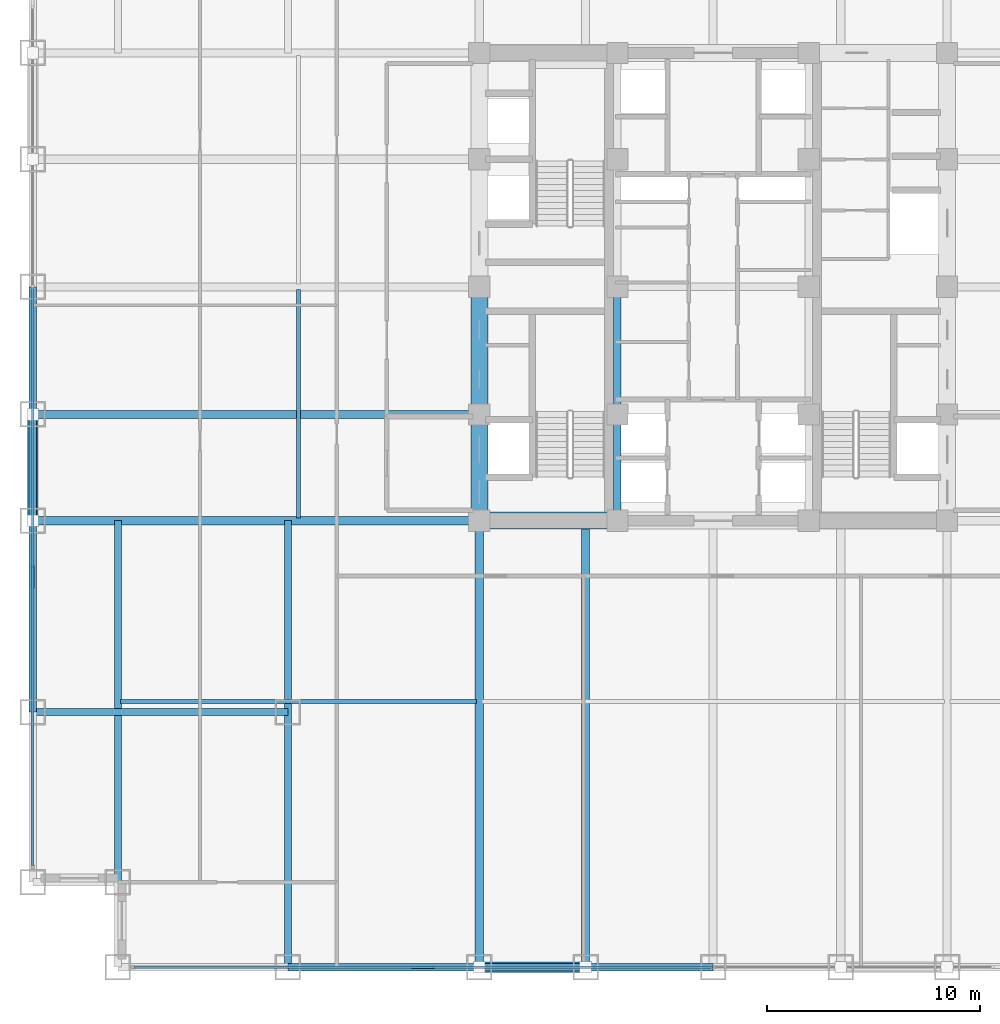
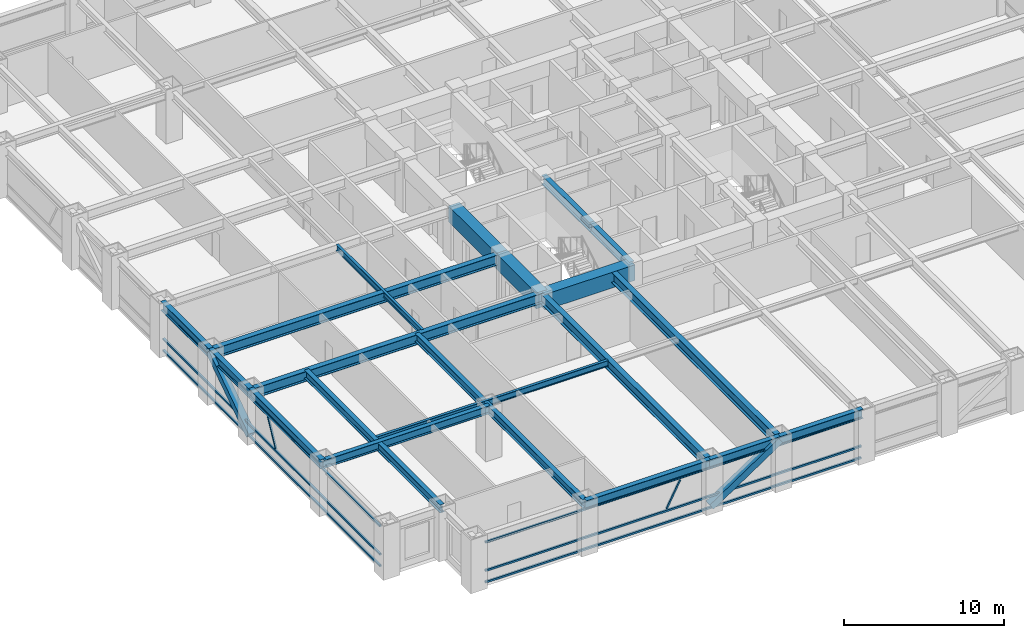
# One storey, part 3 of 27: 20 beams, 10 members, 2 elements without a shape of their own.
"""IFC4 building model written with IfcOpenShell, lengths in metres."""

from ifc_helpers import new_model, si_unit, direction, frame, origin, origin_2d, place, context, subcontext, project, spatial, rectangle, hollow_rectangle, i_section, extrude, source, transform, mapped, material, material_profile, profile_set, type_object, element, aggregate, save


model = new_model("IFC4")

# Units and contexts
model_context = context("Model", 3, precision=1e-05, world=origin(), true_north=direction((0.0, 1.0)))
body_context = subcontext(model_context, "Body", "Model", "MODEL_VIEW")
ifc_project = project(units=[si_unit("LENGTHUNIT", "METRE"), si_unit("AREAUNIT", "SQUARE_METRE"), si_unit("VOLUMEUNIT", "CUBIC_METRE"), si_unit("PLANEANGLEUNIT", "RADIAN"), si_unit("MASSUNIT", "GRAM", prefix="KILO")], contexts=[model_context])

# Site, building, storey
site_placement = place(None, origin())
site = spatial("IfcSite", under=ifc_project, at=site_placement, CompositionType="ELEMENT")
building_placement = place(site_placement, origin())
building = spatial("IfcBuilding", under=site, at=building_placement, Name="Khorayat Bourse Tower", CompositionType="ELEMENT")
storey_placement = place(building_placement, frame((0.0, 0.0, 107.800048828125)))
storey = spatial("IfcBuildingStorey", under=building, at=storey_placement, Name="L24", CompositionType="ELEMENT", Elevation=107.800048828125)

# Beams
ifc_material_1 = material(Name="Concrete C72/90", Category="concrete")
ifc_material_profile_1 = material_profile(ifc_material_1, rectangle(XDim=0.800048828125, YDim=1.199951171875, at=origin_2d()), Name="RC 800x1200")
ifc_profile_set_1 = profile_set([ifc_material_profile_1], Name="Concrete C72/90")
beam_type_1 = type_object("IfcBeamType", Name="BM-COUP-1200", PredefinedType="BEAM", material=ifc_profile_set_1)
shared_shape_1 = source(origin(), body_context, "Body", "SweptSolid", [
    extrude(rectangle(XDim=0.800048828125, YDim=1.199951171875, at=origin_2d()), origin(), (0.0, 0.0, 1.0), 5.0),
])
beam_1_placement = place(storey_placement, frame((-11.0, -11.0, 3.239990234375), z_axis=(0.0, 1.0, 0.0), x_axis=(-1.0, 0.0, 0.0)))
element("IfcBeam", 1, at=beam_1_placement, inside=storey, type_object=beam_type_1, Name="L24 BM-COUP-1200 BM-L24-CRX-01", PredefinedType="BEAM", context=body_context, shape_type="MappedRepresentation", body=[
    mapped(shared_shape_1, transform((0.0, 0.0, 0.0), scale=1.0)),
])
shared_shape_2 = source(origin(), body_context, "Body", "SweptSolid", [
    extrude(rectangle(XDim=0.800048828125, YDim=1.199951171875, at=origin_2d()), origin(), (0.0, 0.0, 1.0), 6.0),
])
beam_2_placement = place(storey_placement, frame((-11.0, -6.0, 3.239990234375), z_axis=(0.0, 1.0, 0.0), x_axis=(-1.0, 0.0, 0.0)))
element("IfcBeam", 2, at=beam_2_placement, inside=storey, type_object=beam_type_1, Name="L24 BM-COUP-1200 BM-L24-CRX-02", PredefinedType="BEAM", context=body_context, shape_type="MappedRepresentation", body=[
    mapped(shared_shape_2, transform((0.0, 0.0, 0.0), scale=1.0)),
])
ifc_material_2 = material(Name="Steel ASTM A992 Grade 50", Category="steel")
ifc_material_profile_2 = material_profile(ifc_material_2, i_section(OverallWidth=0.35498046875, OverallDepth=0.695068359375, WebThickness=0.015380859375, FlangeThickness=0.02490234375, FilletRadius=0.01806640625, at=origin_2d()), Name="W690X217")
ifc_profile_set_2 = profile_set([ifc_material_profile_2], Name="Steel ASTM A992 Grade 50")
beam_type_2 = type_object("IfcBeamType", Name="BM-GIRD-690", PredefinedType="BEAM", material=ifc_profile_set_2)
shared_shape_3 = source(origin(), body_context, "Body", "SweptSolid", [
    extrude(i_section(OverallWidth=0.35498046875, OverallDepth=0.695068359375, WebThickness=0.015380859375, FlangeThickness=0.02490234375, FilletRadius=0.01806640625, at=origin_2d()), origin(), (0.0, 0.0, 1.0), 5.0),
])
beam_3_placement = place(storey_placement, frame((-4.5, -11.0, 3.492431640625), z_axis=(0.0, 1.0, 0.0), x_axis=(-1.0, 0.0, 0.0)))
element("IfcBeam", 3, at=beam_3_placement, inside=storey, type_object=beam_type_2, Name="L24 BM-GIRD-690 BM-L24-CRX-05", PredefinedType="BEAM", context=body_context, shape_type="MappedRepresentation", body=[
    mapped(shared_shape_3, transform((0.0, 0.0, 0.0), scale=1.0)),
])
shared_shape_4 = source(origin(), body_context, "Body", "SweptSolid", [
    extrude(i_section(OverallWidth=0.35498046875, OverallDepth=0.695068359375, WebThickness=0.015380859375, FlangeThickness=0.02490234375, FilletRadius=0.01806640625, at=origin_2d()), origin(), (0.0, 0.0, 1.0), 6.0),
])
beam_4_placement = place(storey_placement, frame((-4.5, -6.0, 3.492431640625), z_axis=(0.0, 1.0, 0.0), x_axis=(-1.0, 0.0, 0.0)))
element("IfcBeam", 4, at=beam_4_placement, inside=storey, type_object=beam_type_2, Name="L24 BM-GIRD-690 BM-L24-CRX-06", PredefinedType="BEAM", context=body_context, shape_type="MappedRepresentation", body=[
    mapped(shared_shape_4, transform((0.0, 0.0, 0.0), scale=1.0)),
])
shared_shape_5 = source(origin(), body_context, "Body", "SweptSolid", [
    extrude(rectangle(XDim=0.800048828125, YDim=1.199951171875, at=origin_2d()), origin(), (0.0, 0.0, 1.0), 6.5),
])
beam_5_placement = place(storey_placement, frame((-11.0, -11.0, 3.239990234375), z_axis=(1.0, 0.0, 0.0), x_axis=(0.0, 1.0, 0.0)))
element("IfcBeam", 5, at=beam_5_placement, inside=storey, type_object=beam_type_1, Name="L24 BM-COUP-1200 BM-L24-CRY-17", PredefinedType="BEAM", context=body_context, shape_type="MappedRepresentation", body=[
    mapped(shared_shape_5, transform((0.0, 0.0, 0.0), scale=1.0)),
])
ifc_material_profile_3 = material_profile(ifc_material_2, i_section(OverallWidth=0.35498046875, OverallDepth=0.695068359375, WebThickness=0.015380859375, FlangeThickness=0.02490234375, FilletRadius=0.01806640625, at=origin_2d()), Name="W690X217")
ifc_profile_set_3 = profile_set([ifc_material_profile_3], Name="Steel ASTM A992 Grade 50")
beam_type_3 = type_object("IfcBeamType", Name="BM-SPAN-690", PredefinedType="SPANDREL", material=ifc_profile_set_3)
shared_shape_6 = source(origin(), body_context, "Body", "SweptSolid", [
    extrude(i_section(OverallWidth=0.35498046875, OverallDepth=0.695068359375, WebThickness=0.015380859375, FlangeThickness=0.02490234375, FilletRadius=0.01806640625, at=origin_2d()), origin(), (0.0, 0.0, 1.0), 9.0),
])
for number, where, z_axis, x_axis, name in (
    (6, (-20.0, -32.0, 3.492431640625), (1.0, 0.0, 0.0), (0.0, 1.0, 0.0), "L24 BM-SPAN-690 BM-L24-SPN-025"),
    (7, (-32.0, -20.0, 3.492431640625), (0.0, 1.0, 0.0), (-1.0, 0.0, 0.0), "L24 BM-SPAN-690 BM-L24-SPN-060"),
):
    element("IfcBeam", number, at=place(storey_placement, frame(where, z_axis=z_axis, x_axis=x_axis)), inside=storey, type_object=beam_type_3, Name=name, PredefinedType="SPANDREL", context=body_context, shape_type="MappedRepresentation", body=[
        mapped(shared_shape_6, transform((0.0, 0.0, 0.0), scale=1.0)),
    ])
shared_shape_7 = source(origin(), body_context, "Body", "SweptSolid", [
    extrude(i_section(OverallWidth=0.35498046875, OverallDepth=0.695068359375, WebThickness=0.015380859375, FlangeThickness=0.02490234375, FilletRadius=0.01806640625, at=origin_2d()), origin(), (0.0, 0.0, 1.0), 5.0),
])
for number, where, z_axis, x_axis, name in (
    (8, (-11.0, -32.0, 3.492431640625), (1.0, 0.0, 0.0), (0.0, 1.0, 0.0), "L24 BM-SPAN-690 BM-L24-SPN-026"),
    (9, (-32.0, -11.0, 3.492431640625), (0.0, 1.0, 0.0), (-1.0, 0.0, 0.0), "L24 BM-SPAN-690 BM-L24-SPN-059"),
):
    element("IfcBeam", number, at=place(storey_placement, frame(where, z_axis=z_axis, x_axis=x_axis)), inside=storey, type_object=beam_type_3, Name=name, PredefinedType="SPANDREL", context=body_context, shape_type="MappedRepresentation", body=[
        mapped(shared_shape_7, transform((0.0, 0.0, 0.0), scale=1.0)),
    ])
shared_shape_8 = source(origin(), body_context, "Body", "SweptSolid", [
    extrude(i_section(OverallWidth=0.35498046875, OverallDepth=0.695068359375, WebThickness=0.015380859375, FlangeThickness=0.02490234375, FilletRadius=0.01806640625, at=origin_2d()), origin(), (0.0, 0.0, 1.0), 6.0),
])
for number, where, z_axis, x_axis, name in (
    (10, (-6.0, -32.0, 3.492431640625), (1.0, 0.0, 0.0), (0.0, 1.0, 0.0), "L24 BM-SPAN-690 BM-L24-SPN-027"),
    (11, (-32.0, -6.0, 3.492431640625), (0.0, 1.0, 0.0), (-1.0, 0.0, 0.0), "L24 BM-SPAN-690 BM-L24-SPN-058"),
):
    element("IfcBeam", number, at=place(storey_placement, frame(where, z_axis=z_axis, x_axis=x_axis)), inside=storey, type_object=beam_type_3, Name=name, PredefinedType="SPANDREL", context=body_context, shape_type="MappedRepresentation", body=[
        mapped(shared_shape_8, transform((0.0, 0.0, 0.0), scale=1.0)),
    ])
ifc_material_profile_4 = material_profile(ifc_material_2, i_section(OverallWidth=0.324951171875, OverallDepth=0.615966796875, WebThickness=0.013916015625, FlangeThickness=0.021484375, FilletRadius=0.01611328125, at=origin_2d()), Name="W610X174")
ifc_profile_set_4 = profile_set([ifc_material_profile_4], Name="Steel ASTM A992 Grade 50")
beam_type_4 = type_object("IfcBeamType", Name="BM-GIRD-610", PredefinedType="BEAM", material=ifc_profile_set_4)
shared_shape_9 = source(origin(), body_context, "Body", "SweptSolid", [
    extrude(i_section(OverallWidth=0.324951171875, OverallDepth=0.615966796875, WebThickness=0.013916015625, FlangeThickness=0.021484375, FilletRadius=0.01611328125, at=origin_2d()), origin(), (0.0, 0.0, 1.0), 21.0),
])
beam_6_placement = place(storey_placement, frame((-20.0, -32.0, 3.531982421875), z_axis=(0.0, 1.0, 0.0), x_axis=(-1.0, 0.0, 0.0)))
element("IfcBeam", 12, at=beam_6_placement, inside=storey, type_object=beam_type_4, Name="L24 BM-GIRD-610 BM-L24-CNRY-084", PredefinedType="BEAM", context=body_context, shape_type="MappedRepresentation", body=[
    mapped(shared_shape_9, transform((0.0, 0.0, 0.0), scale=1.0)),
])
shared_shape_10 = source(origin(), body_context, "Body", "SweptSolid", [
    extrude(i_section(OverallWidth=0.324951171875, OverallDepth=0.615966796875, WebThickness=0.013916015625, FlangeThickness=0.021484375, FilletRadius=0.01611328125, at=origin_2d()), origin(), (0.0, 0.0, 1.0), 12.0),
])
beam_7_placement = place(storey_placement, frame((-32.0, -20.0, 3.531982421875), z_axis=(1.0, 0.0, 0.0), x_axis=(0.0, 1.0, 0.0)))
element("IfcBeam", 13, at=beam_7_placement, inside=storey, type_object=beam_type_4, Name="L24 BM-GIRD-610 BM-L24-CNRX-093", PredefinedType="BEAM", context=body_context, shape_type="MappedRepresentation", body=[
    mapped(shared_shape_10, transform((0.0, 0.0, 0.0), scale=1.0)),
])
ifc_material_profile_5 = material_profile(ifc_material_2, i_section(OverallWidth=0.194091796875, OverallDepth=0.468994140625, WebThickness=0.0126953125, FlangeThickness=0.0205078125, FilletRadius=0.012939453125, at=origin_2d()), Name="W460X106")
ifc_profile_set_5 = profile_set([ifc_material_profile_5], Name="Steel ASTM A992 Grade 50")
beam_type_5 = type_object("IfcBeamType", Name="BM-JOIST-460", PredefinedType="JOIST", material=ifc_profile_set_5)
shared_shape_11 = source(origin(), body_context, "Body", "SweptSolid", [
    extrude(i_section(OverallWidth=0.194091796875, OverallDepth=0.468994140625, WebThickness=0.0126953125, FlangeThickness=0.0205078125, FilletRadius=0.012939453125, at=origin_2d()), origin(), (0.0, 0.0, 1.0), 10.740234375),
])
beam_8_placement = place(storey_placement, frame((-19.5, -10.8701171875, 3.60546875), z_axis=(0.0, 1.0, 0.0), x_axis=(-1.0, 0.0, 0.0)))
element("IfcBeam", 14, at=beam_8_placement, inside=storey, type_object=beam_type_5, Name="L24 BM-JOIST-460 BM-L24-JSTY-102", PredefinedType="JOIST", context=body_context, shape_type="MappedRepresentation", body=[
    mapped(shared_shape_11, transform((0.0, 0.0, 0.0), scale=1.0)),
])
ifc_material_profile_6 = material_profile(ifc_material_2, i_section(OverallWidth=0.381103515625, OverallDepth=0.77294921875, WebThickness=0.0166015625, FlangeThickness=0.027587890625, FilletRadius=0.01806640625, at=origin_2d()), Name="W760X257")
ifc_profile_set_6 = profile_set([ifc_material_profile_6], Name="Steel ASTM A992 Grade 50")
beam_type_6 = type_object("IfcBeamType", Name="BM-GIRD-760", PredefinedType="BEAM", material=ifc_profile_set_6)
shared_shape_12 = source(origin(), body_context, "Body", "SweptSolid", [
    extrude(i_section(OverallWidth=0.381103515625, OverallDepth=0.77294921875, WebThickness=0.0166015625, FlangeThickness=0.027587890625, FilletRadius=0.01806640625, at=origin_2d()), origin(), (0.0, 0.0, 1.0), 21.0),
])
for number, where, z_axis, x_axis, name in (
    (15, (-11.0, -32.0, 3.453369140625), (0.0, 1.0, 0.0), (-1.0, 0.0, 0.0), "L24 BM-GIRD-760 BM-L24-RADY-065"),
    (16, (-6.0, -32.0, 3.453369140625), (0.0, 1.0, 0.0), (-1.0, 0.0, 0.0), "L24 BM-GIRD-760 BM-L24-RADY-067"),
    (17, (-32.0, -11.0, 3.453369140625), (1.0, 0.0, 0.0), (0.0, 1.0, 0.0), "L24 BM-GIRD-760 BM-L24-RADX-075"),
    (18, (-32.0, -6.0, 3.453369140625), (1.0, 0.0, 0.0), (0.0, 1.0, 0.0), "L24 BM-GIRD-760 BM-L24-RADX-077"),
):
    element("IfcBeam", number, at=place(storey_placement, frame(where, z_axis=z_axis, x_axis=x_axis)), inside=storey, type_object=beam_type_6, Name=name, PredefinedType="BEAM", context=body_context, shape_type="MappedRepresentation", body=[
        mapped(shared_shape_12, transform((0.0, 0.0, 0.0), scale=1.0)),
    ])
shared_shape_13 = source(origin(), body_context, "Body", "SweptSolid", [
    extrude(i_section(OverallWidth=0.324951171875, OverallDepth=0.615966796875, WebThickness=0.013916015625, FlangeThickness=0.021484375, FilletRadius=0.01611328125, at=origin_2d()), origin(), (0.0, 0.0, 1.0), 17.0),
])
beam_9_placement = place(storey_placement, frame((-28.0, -28.0, 3.531982421875), z_axis=(0.0, 1.0, 0.0), x_axis=(-1.0, 0.0, 0.0)))
element("IfcBeam", 19, at=beam_9_placement, inside=storey, type_object=beam_type_4, Name="L24 BM-GIRD-610 BM-L24-CNRY-088", PredefinedType="BEAM", context=body_context, shape_type="MappedRepresentation", body=[
    mapped(shared_shape_13, transform((0.0, 0.0, 0.0), scale=1.0)),
])
shared_shape_14 = source(origin(), body_context, "Body", "SweptSolid", [
    extrude(i_section(OverallWidth=0.194091796875, OverallDepth=0.468994140625, WebThickness=0.0126953125, FlangeThickness=0.0205078125, FilletRadius=0.012939453125, at=origin_2d()), origin(), (0.0, 0.0, 1.0), 16.740234375),
])
beam_10_placement = place(storey_placement, frame((-27.8701171875, -19.5, 3.60546875), z_axis=(1.0, 0.0, 0.0), x_axis=(0.0, 1.0, 0.0)))
element("IfcBeam", 20, at=beam_10_placement, inside=storey, type_object=beam_type_5, Name="L24 BM-JOIST-460 BM-L24-JSTX-096", PredefinedType="JOIST", context=body_context, shape_type="MappedRepresentation", body=[
    mapped(shared_shape_14, transform((0.0, 0.0, 0.0), scale=1.0)),
])

# Members
ifc_material_3 = material(Name="Steel EN 10025-4 S460M", Category="steel")
ifc_material_profile_7 = material_profile(ifc_material_3, hollow_rectangle(XDim=0.5, YDim=0.5, WallThickness=0.028076171875, at=origin_2d()), Name="HSS 500x500x28")
ifc_profile_set_7 = profile_set([ifc_material_profile_7], Name="Steel EN 10025-4 S460M")
member_type_1 = type_object("IfcMemberType", Name="MBR-TUBE-500", PredefinedType="BRACE", material=ifc_profile_set_7)
shared_shape_15 = source(origin(), body_context, "Body", "SweptSolid", [
    extrude(hollow_rectangle(XDim=0.5, YDim=0.5, WallThickness=0.028076171875, at=origin_2d()), origin(), (0.0, 0.0, 1.0), 6.012939453125),
])
for number, where, z_axis, x_axis, name in (
    (21, (-11.0, -32.0, 0.25), (0.831550226979, 0.0, 0.555449565677), (0.0, 1.0, 0.0), "L24 Perimeter Tube Brace 01"),
    (22, (-32.0, -11.0, 0.25), (0.0, 0.831550226979, 0.555449565677), (-1.0, 0.0, 0.0), "L24 Perimeter Tube Brace 05"),
):
    element("IfcMember", number, at=place(storey_placement, frame(where, z_axis=z_axis, x_axis=x_axis)), inside=storey, type_object=member_type_1, Name=name, PredefinedType="BRACE", context=body_context, shape_type="MappedRepresentation", body=[
        mapped(shared_shape_15, transform((0.0, 0.0, 0.0), scale=1.0)),
    ])

# Curtain wall, members
ifc_material_4 = material(Name="Aluminium EN AW-6063 T6", Category="aluminium")
curtain_wall_type = type_object("IfcCurtainWallType", Name="CW-SYS-02", PredefinedType="NOTDEFINED", material=ifc_material_4)
curtain_wall_1_placement = place(storey_placement, origin())
curtain_wall_1 = element("IfcCurtainWall", 23, at=curtain_wall_1_placement, inside=storey, type_object=curtain_wall_type, Name="L24 Curtain Wall CW-L24-S1", PredefinedType="NOTDEFINED")
ifc_material_profile_8 = material_profile(ifc_material_4, hollow_rectangle(XDim=0.139892578125, YDim=0.139892578125, WallThickness=0.006103515625, at=origin_2d()), Name="ALU 140x140x6")
ifc_profile_set_8 = profile_set([ifc_material_profile_8], Name="Aluminium EN AW-6063 T6")
member_type_2 = type_object("IfcMemberType", Name="CWT-HORZ-140", PredefinedType="USERDEFINED", material=ifc_profile_set_8)
shared_shape_16 = source(origin(), body_context, "Body", "SweptSolid", [
    extrude(hollow_rectangle(XDim=0.139892578125, YDim=0.139892578125, WallThickness=0.006103515625, at=origin_2d()), origin(), (0.0, 0.0, 1.0), 27.139892578125),
])
member_1_placement = place(storey_placement, frame((-27.2099609375, -32.0, 0.070068359375), z_axis=(1.0, 0.0, 0.0), x_axis=(0.0, 1.0, 0.0)))
member_1 = element("IfcMember", 24, at=member_1_placement, type_object=member_type_2, Name="CW-L24-S1 Horizontal Transom 1-1", ObjectType="TRANSOM", PredefinedType="USERDEFINED", context=body_context, shape_type="MappedRepresentation", body=[
    mapped(shared_shape_16, transform((0.0, 0.0, 0.0), scale=1.0)),
])
member_2_placement = place(storey_placement, frame((-27.2099609375, -32.0, 0.949951171875), z_axis=(1.0, 0.0, 0.0), x_axis=(0.0, 1.0, 0.0)))
member_2 = element("IfcMember", 25, at=member_2_placement, type_object=member_type_2, Name="CW-L24-S1 Horizontal Transom 1-2", ObjectType="TRANSOM", PredefinedType="USERDEFINED", context=body_context, shape_type="MappedRepresentation", body=[
    mapped(shared_shape_16, transform((0.0, 0.0, 0.0), scale=1.0)),
])
member_3_placement = place(storey_placement, frame((-27.2099609375, -32.0, 3.119873046875), z_axis=(1.0, 0.0, 0.0), x_axis=(0.0, 1.0, 0.0)))
member_3 = element("IfcMember", 26, at=member_3_placement, type_object=member_type_2, Name="CW-L24-S1 Horizontal Transom 1-3", ObjectType="TRANSOM", PredefinedType="USERDEFINED", context=body_context, shape_type="MappedRepresentation", body=[
    mapped(shared_shape_16, transform((0.0, 0.0, 0.0), scale=1.0)),
])

curtain_wall_2_placement = place(storey_placement, origin())
curtain_wall_2 = element("IfcCurtainWall", 27, at=curtain_wall_2_placement, inside=storey, type_object=curtain_wall_type, Name="L24 Curtain Wall CW-L24-W1", PredefinedType="NOTDEFINED")
member_4_placement = place(storey_placement, frame((-32.0, -27.2099609375, 0.070068359375), z_axis=(0.0, 1.0, 0.0), x_axis=(-1.0, 0.0, 0.0)))
member_4 = element("IfcMember", 28, at=member_4_placement, type_object=member_type_2, Name="CW-L24-W1 Horizontal Transom 1-1", ObjectType="TRANSOM", PredefinedType="USERDEFINED", context=body_context, shape_type="MappedRepresentation", body=[
    mapped(shared_shape_16, transform((0.0, 0.0, 0.0), scale=1.0)),
])
member_5_placement = place(storey_placement, frame((-32.0, -27.2099609375, 0.949951171875), z_axis=(0.0, 1.0, 0.0), x_axis=(-1.0, 0.0, 0.0)))
member_5 = element("IfcMember", 29, at=member_5_placement, type_object=member_type_2, Name="CW-L24-W1 Horizontal Transom 1-2", ObjectType="TRANSOM", PredefinedType="USERDEFINED", context=body_context, shape_type="MappedRepresentation", body=[
    mapped(shared_shape_16, transform((0.0, 0.0, 0.0), scale=1.0)),
])
member_6_placement = place(storey_placement, frame((-32.0, -27.2099609375, 3.119873046875), z_axis=(0.0, 1.0, 0.0), x_axis=(-1.0, 0.0, 0.0)))
member_6 = element("IfcMember", 30, at=member_6_placement, type_object=member_type_2, Name="CW-L24-W1 Horizontal Transom 1-3", ObjectType="TRANSOM", PredefinedType="USERDEFINED", context=body_context, shape_type="MappedRepresentation", body=[
    mapped(shared_shape_16, transform((0.0, 0.0, 0.0), scale=1.0)),
])

# Member
ifc_material_profile_9 = material_profile(ifc_material_4, hollow_rectangle(XDim=0.1201171875, YDim=0.1201171875, WallThickness=0.0048828125, at=origin_2d()), Name="ALU 120x120x5")
ifc_profile_set_9 = profile_set([ifc_material_profile_9], Name="Aluminium EN AW-6063 T6")
member_type_3 = type_object("IfcMemberType", Name="CWM-DIAG-120", PredefinedType="MULLION", material=ifc_profile_set_9)
shared_shape_17 = source(origin(), body_context, "Body", "SweptSolid", [
    extrude(hollow_rectangle(XDim=0.1201171875, YDim=0.1201171875, WallThickness=0.0048828125, at=origin_2d()), origin(), (0.0, 0.0, 1.0), 2.11328125),
])
member_7_placement = place(storey_placement, frame((-14.132080078125, -32.0, 1.099853515625), z_axis=(0.465694055905, 0.0, 0.884945787207), x_axis=(0.0, 1.0, 0.0)))
member_7 = element("IfcMember", 31, at=member_7_placement, type_object=member_type_3, Name="CW-L24-S1 Faceted Diagonal Mullion 1", PredefinedType="MULLION", context=body_context, shape_type="MappedRepresentation", body=[
    mapped(shared_shape_17, transform((0.0, 0.0, 0.0), scale=1.0)),
])

aggregate(curtain_wall_1, [member_1, member_2, member_3, member_7])

member_8_placement = place(storey_placement, frame((-32.0, -14.132080078125, 1.099853515625), z_axis=(0.0, 0.465694055905, 0.884945787207), x_axis=(-1.0, 0.0, 0.0)))
member_8 = element("IfcMember", 32, at=member_8_placement, type_object=member_type_3, Name="CW-L24-W1 Faceted Diagonal Mullion 1", PredefinedType="MULLION", context=body_context, shape_type="MappedRepresentation", body=[
    mapped(shared_shape_17, transform((0.0, 0.0, 0.0), scale=1.0)),
])

aggregate(curtain_wall_2, [member_4, member_5, member_6, member_8])

save(model, "model.ifc")
